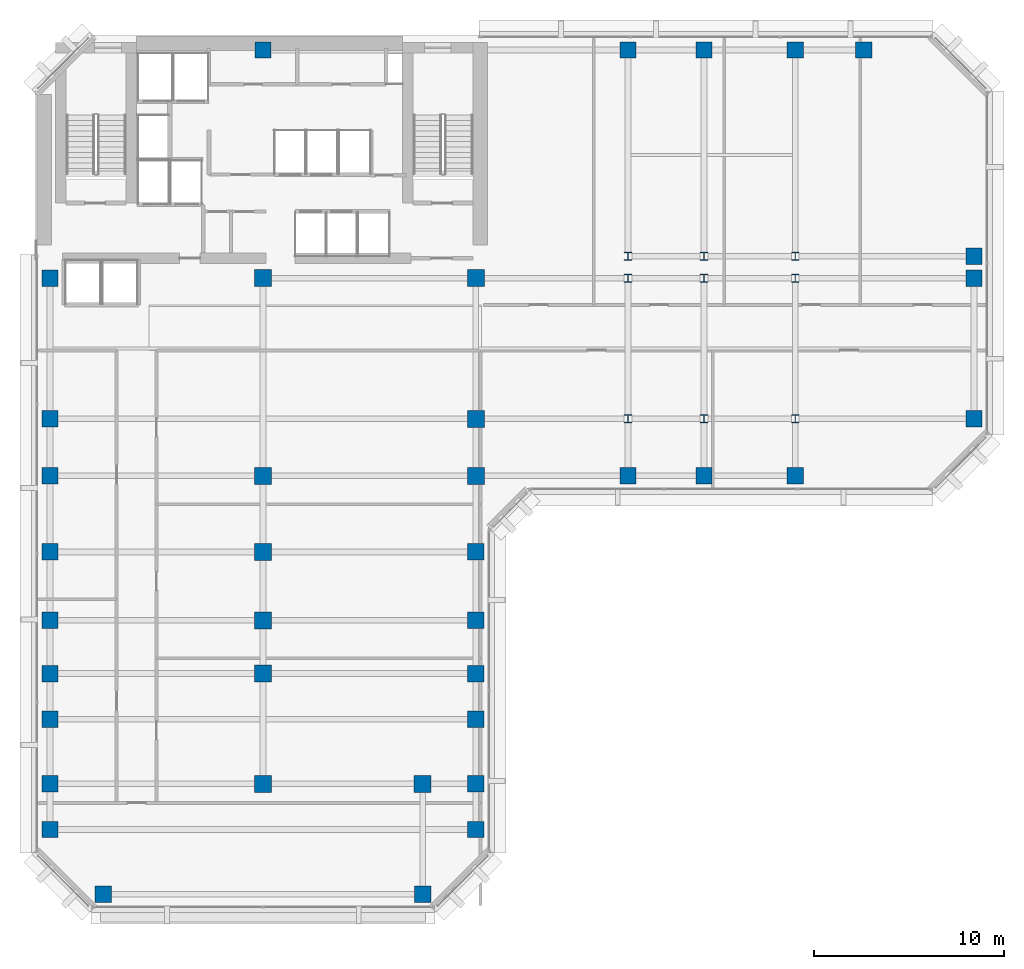
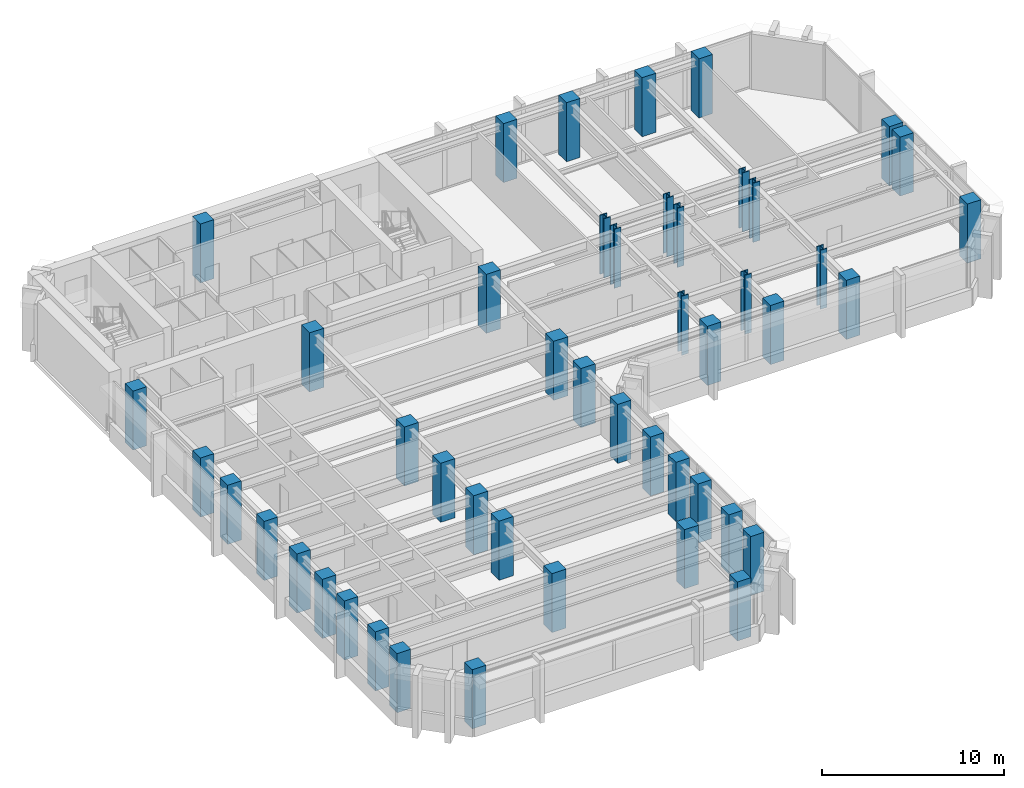
# One storey, part 1 of 11: 47 columns.
"""IFC4 building model written with IfcOpenShell, lengths in metres."""

from ifc_helpers import new_model, si_unit, direction, frame, origin, origin_2d, place, context, subcontext, project, spatial, rectangle, i_section, extrude, material, material_profile, profile_set, type_object, element, save


model = new_model("IFC4")

# Units and contexts
model_context = context("Model", 3, precision=1e-05, world=origin(), true_north=direction((0.0, 1.0)))
body_context = subcontext(model_context, "Body", "Model", "MODEL_VIEW")
ifc_project = project(units=[si_unit("LENGTHUNIT", "METRE"), si_unit("AREAUNIT", "SQUARE_METRE"), si_unit("VOLUMEUNIT", "CUBIC_METRE"), si_unit("PLANEANGLEUNIT", "RADIAN"), si_unit("MASSUNIT", "GRAM", prefix="KILO")], contexts=[model_context])

# Site, building, storey
site_placement = place(None, origin())
site = spatial("IfcSite", under=ifc_project, at=site_placement, CompositionType="ELEMENT")
building_placement = place(site_placement, origin())
building = spatial("IfcBuilding", under=site, at=building_placement, Name="Kefirva Bronze Tower", CompositionType="ELEMENT")
storey_placement = place(building_placement, frame((0.0, 0.0, 138.929931640625)))
storey = spatial("IfcBuildingStorey", under=building, at=storey_placement, Name="L33", CompositionType="ELEMENT", Elevation=138.929931640625)

# Columns
ifc_material_1 = material(Name="Concrete C60/75", Category="concrete")
ifc_material_profile_1 = material_profile(ifc_material_1, rectangle(XDim=0.860107421875, YDim=0.860107421875, at=origin_2d()), Name="RC 860x860")
ifc_profile_set_1 = profile_set([ifc_material_profile_1], Name="Concrete C60/75")
column_type_1 = type_object("IfcColumnType", Name="RC Column 860x860 Ext", PredefinedType="COLUMN", material=ifc_profile_set_1)
for number, where, z_axis, x_axis, name in (
    (1, (0.800048828125, 4.199951171875, 0.0), (0.0, 0.0, 1.0), (1.0, 0.0, 0.0), "L33 Column C008_042"),
    (2, (0.800048828125, 6.60009765625, 0.0), (0.0, 0.0, 1.0), (1.0, 0.0, 0.0), "L33 Column C008_066"),
    (3, (0.800048828125, 10.0, 0.0), (0.0, 0.0, 1.0), (1.0, 0.0, 0.0), "L33 Column C008_100"),
    (4, (0.800048828125, 12.39990234375, 0.0), (0.0, 0.0, 1.0), (1.0, 0.0, 0.0), "L33 Column C008_124"),
    (5, (0.800048828125, 15.199951171875, 0.0), (0.0, 0.0, 1.0), (1.0, 0.0, 0.0), "L33 Column C008_152"),
    (6, (0.800048828125, 18.800048828125, 0.0), (0.0, 0.0, 1.0), (1.0, 0.0, 0.0), "L33 Column C008_188"),
    (7, (0.800048828125, 22.800048828125, 0.0), (0.0, 0.0, 1.0), (1.0, 0.0, 0.0), "L33 Column C008_228"),
    (8, (0.800048828125, 25.800048828125, 0.0), (0.0, 0.0, 1.0), (1.0, 0.0, 0.0), "L33 Column C008_258"),
    (9, (0.800048828125, 33.199951171875, 0.0), (0.0, 0.0, 1.0), (1.0, 0.0, 0.0), "L33 Column C008_332"),
    (10, (3.60009765625, 0.800048828125, 0.0), (0.0, 0.0, 1.0), (1.0, 0.0, 0.0), "L33 Column C036_008"),
    (11, (12.0, 45.199951171875, 0.0), (0.0, 0.0, 1.0), (1.0, 0.0, 0.0), "L33 Column C120_452"),
    (12, (20.39990234375, 0.800048828125, 0.0), (0.0, 0.0, 1.0), (1.0, 0.0, 0.0), "L33 Column C204_008"),
    (13, (23.199951171875, 4.199951171875, 0.0), (0.0, 0.0, 1.0), (1.0, 0.0, 0.0), "L33 Column C232_042"),
    (14, (23.199951171875, 6.60009765625, 0.0), (0.0, 0.0, 1.0), (1.0, 0.0, 0.0), "L33 Column C232_066"),
    (15, (23.199951171875, 10.0, 0.0), (0.0, 0.0, 1.0), (1.0, 0.0, 0.0), "L33 Column C232_100"),
    (16, (23.199951171875, 12.39990234375, 0.0), (0.0, 0.0, 1.0), (1.0, 0.0, 0.0), "L33 Column C232_124"),
    (17, (23.199951171875, 15.199951171875, 0.0), (0.0, 0.0, 1.0), (1.0, 0.0, 0.0), "L33 Column C232_152"),
    (18, (23.199951171875, 18.800048828125, 0.0), (0.0, 0.0, 1.0), (1.0, 0.0, 0.0), "L33 Column C232_188"),
    (19, (31.199951171875, 22.800048828125, 0.0), (0.0, 0.0, 1.0), (1.0, 0.0, 0.0), "L33 Column C312_228"),
    (20, (31.199951171875, 45.199951171875, 0.0), (0.0, 0.0, 1.0), (1.0, 0.0, 0.0), "L33 Column C312_452"),
    (21, (35.199951171875, 22.800048828125, 0.0), (0.0, 0.0, 1.0), (1.0, 0.0, 0.0), "L33 Column C352_228"),
    (22, (35.199951171875, 45.199951171875, 0.0), (0.0, 0.0, 1.0), (1.0, 0.0, 0.0), "L33 Column C352_452"),
    (23, (40.0, 22.800048828125, 0.0), (0.0, 0.0, 1.0), (1.0, 0.0, 0.0), "L33 Column C400_228"),
    (24, (40.0, 45.199951171875, 0.0), (0.0, 0.0, 1.0), (1.0, 0.0, 0.0), "L33 Column C400_452"),
    (25, (43.60009765625, 45.199951171875, 0.0), (0.0, 0.0, 1.0), (1.0, 0.0, 0.0), "L33 Column C436_452"),
    (26, (49.39990234375, 25.800048828125, 0.0), (0.0, 0.0, 1.0), (1.0, 0.0, 0.0), "L33 Column C494_258"),
    (27, (49.39990234375, 33.199951171875, 0.0), (0.0, 0.0, 1.0), (1.0, 0.0, 0.0), "L33 Column C494_332"),
    (28, (49.39990234375, 34.35009765625, 0.0), (0.0, 0.0, 1.0), (1.0, 0.0, 0.0), "L33 Column C494_344"),
):
    element("IfcColumn", number, at=place(storey_placement, frame(where, z_axis=z_axis, x_axis=x_axis)), inside=storey, type_object=column_type_1, Name=name, PredefinedType="COLUMN", context=body_context, shape_type="SweptSolid", body=[
        extrude(rectangle(XDim=0.860107421875, YDim=0.860107421875, at=origin_2d()), origin(), (0.0, 0.0, 1.0), 3.9599609375),
    ])
ifc_material_profile_2 = material_profile(ifc_material_1, rectangle(XDim=0.89990234375, YDim=0.89990234375, at=origin_2d()), Name="RC 900x900")
ifc_profile_set_2 = profile_set([ifc_material_profile_2], Name="Concrete C60/75")
column_type_2 = type_object("IfcColumnType", Name="RC Column 900x900 Int", PredefinedType="COLUMN", material=ifc_profile_set_2)
for number, where, z_axis, x_axis, name in (
    (29, (12.0, 6.60009765625, 0.0), (0.0, 0.0, 1.0), (1.0, 0.0, 0.0), "L33 Column C120_066"),
    (30, (12.0, 12.39990234375, 0.0), (0.0, 0.0, 1.0), (1.0, 0.0, 0.0), "L33 Column C120_124"),
    (31, (12.0, 15.199951171875, 0.0), (0.0, 0.0, 1.0), (1.0, 0.0, 0.0), "L33 Column C120_152"),
    (32, (12.0, 18.800048828125, 0.0), (0.0, 0.0, 1.0), (1.0, 0.0, 0.0), "L33 Column C120_188"),
    (33, (12.0, 22.800048828125, 0.0), (0.0, 0.0, 1.0), (1.0, 0.0, 0.0), "L33 Column C120_228"),
    (34, (12.0, 33.199951171875, 0.0), (0.0, 0.0, 1.0), (1.0, 0.0, 0.0), "L33 Column C120_332"),
    (35, (20.39990234375, 6.60009765625, 0.0), (0.0, 0.0, 1.0), (1.0, 0.0, 0.0), "L33 Column C204_066"),
    (36, (23.199951171875, 22.800048828125, 0.0), (0.0, 0.0, 1.0), (1.0, 0.0, 0.0), "L33 Column C232_228"),
    (37, (23.199951171875, 25.800048828125, 0.0), (0.0, 0.0, 1.0), (1.0, 0.0, 0.0), "L33 Column C232_258"),
    (38, (23.199951171875, 33.199951171875, 0.0), (0.0, 0.0, 1.0), (1.0, 0.0, 0.0), "L33 Column C232_332"),
):
    element("IfcColumn", number, at=place(storey_placement, frame(where, z_axis=z_axis, x_axis=x_axis)), inside=storey, type_object=column_type_2, Name=name, PredefinedType="COLUMN", context=body_context, shape_type="SweptSolid", body=[
        extrude(rectangle(XDim=0.89990234375, YDim=0.89990234375, at=origin_2d()), origin(), (0.0, 0.0, 1.0), 3.9599609375),
    ])
ifc_material_2 = material(Name="Steel S460", Category="steel")
ifc_material_profile_3 = material_profile(ifc_material_2, i_section(OverallWidth=0.41796875, OverallDepth=0.455078125, WebThickness=0.031982421875, FlangeThickness=0.051025390625, at=origin_2d()), Name="HD 400x551")
ifc_profile_set_3 = profile_set([ifc_material_profile_3], Name="Steel S460")
column_type_3 = type_object("IfcColumnType", Name="Steel Column HD 400x551", PredefinedType="COLUMN", material=ifc_profile_set_3)
for number, where, z_axis, x_axis, name in (
    (39, (31.199951171875, 25.800048828125, 0.0), (0.0, 0.0, 1.0), (1.0, 0.0, 0.0), "L33 Column C312_258"),
    (40, (31.199951171875, 33.199951171875, 0.0), (0.0, 0.0, 1.0), (1.0, 0.0, 0.0), "L33 Column C312_332"),
    (41, (31.199951171875, 34.35009765625, 0.0), (0.0, 0.0, 1.0), (1.0, 0.0, 0.0), "L33 Column C312_344"),
    (42, (35.199951171875, 25.800048828125, 0.0), (0.0, 0.0, 1.0), (1.0, 0.0, 0.0), "L33 Column C352_258"),
    (43, (35.199951171875, 33.199951171875, 0.0), (0.0, 0.0, 1.0), (1.0, 0.0, 0.0), "L33 Column C352_332"),
    (44, (35.199951171875, 34.35009765625, 0.0), (0.0, 0.0, 1.0), (1.0, 0.0, 0.0), "L33 Column C352_344"),
    (45, (40.0, 25.800048828125, 0.0), (0.0, 0.0, 1.0), (1.0, 0.0, 0.0), "L33 Column C400_258"),
    (46, (40.0, 33.199951171875, 0.0), (0.0, 0.0, 1.0), (1.0, 0.0, 0.0), "L33 Column C400_332"),
    (47, (40.0, 34.35009765625, 0.0), (0.0, 0.0, 1.0), (1.0, 0.0, 0.0), "L33 Column C400_344"),
):
    element("IfcColumn", number, at=place(storey_placement, frame(where, z_axis=z_axis, x_axis=x_axis)), inside=storey, type_object=column_type_3, Name=name, PredefinedType="COLUMN", context=body_context, shape_type="SweptSolid", body=[
        extrude(i_section(OverallWidth=0.41796875, OverallDepth=0.455078125, WebThickness=0.031982421875, FlangeThickness=0.051025390625, at=origin_2d()), origin(), (0.0, 0.0, 1.0), 3.9599609375),
    ])

save(model, "model.ifc")
